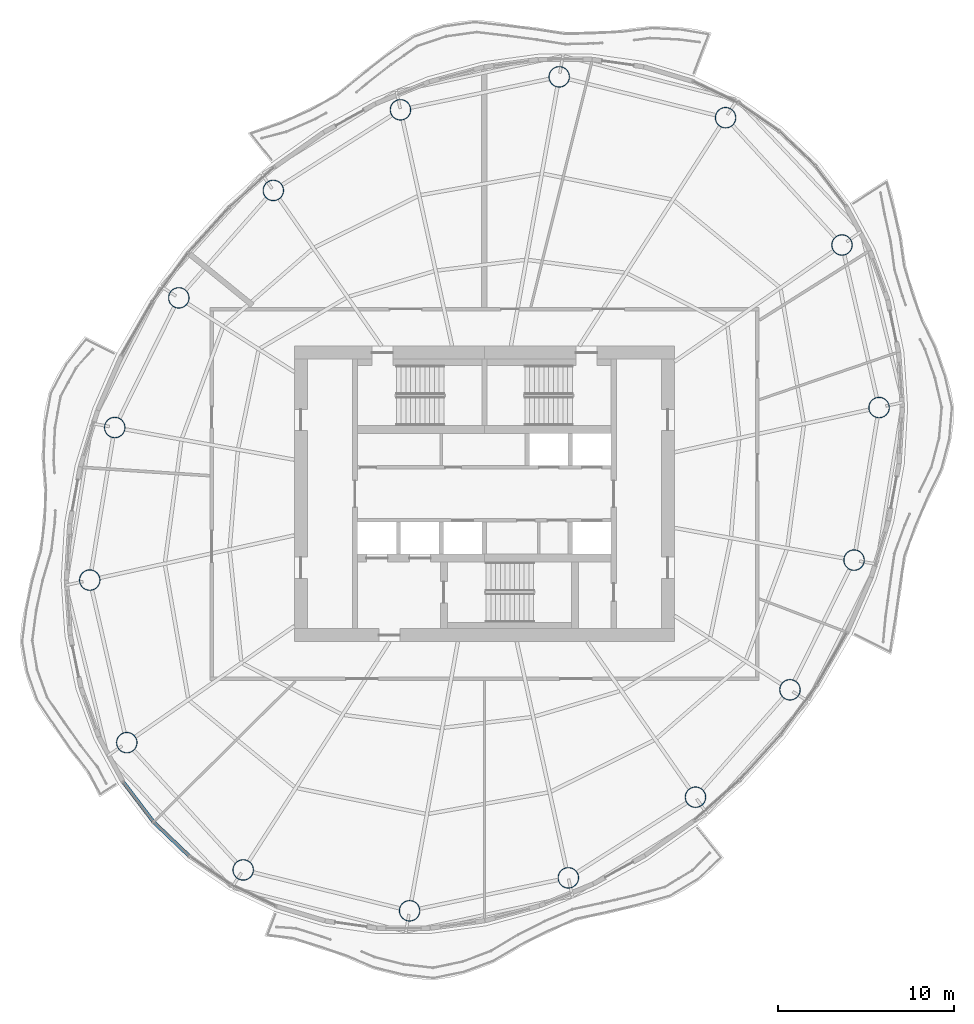
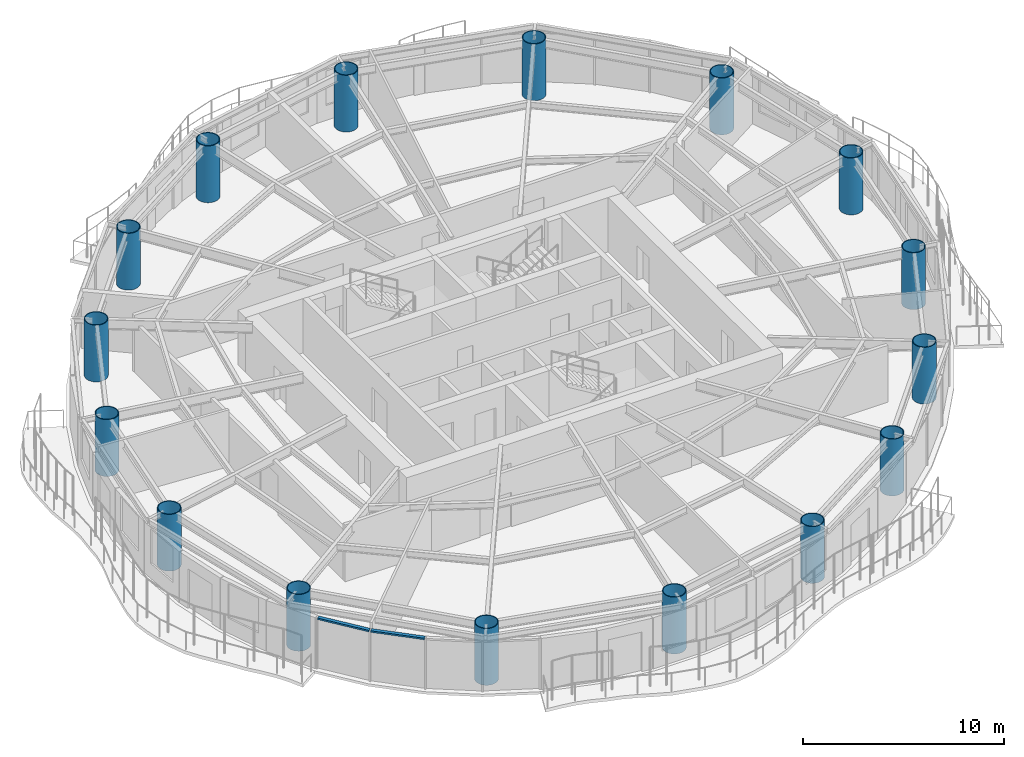
# One storey, part 1 of 14: 16 columns, 2 members, 2 elements without a shape of their own.
"""IFC4 building model written with IfcOpenShell, lengths in metres."""

from ifc_helpers import new_model, si_unit, direction, frame, origin, origin_2d, place, context, subcontext, project, spatial, rectangle, hollow_circle, extrude, material, material_profile, profile_set, type_object, element, aggregate, save


model = new_model("IFC4")

# Units and contexts
model_context = context("Model", 3, precision=1e-05, world=origin(), true_north=direction((0.0, 1.0)))
body_context = subcontext(model_context, "Body", "Model", "MODEL_VIEW")
ifc_project = project(units=[si_unit("LENGTHUNIT", "METRE"), si_unit("AREAUNIT", "SQUARE_METRE"), si_unit("VOLUMEUNIT", "CUBIC_METRE"), si_unit("PLANEANGLEUNIT", "RADIAN"), si_unit("MASSUNIT", "GRAM", prefix="KILO")], contexts=[model_context])

# Site, building, storey
site_placement = place(None, origin())
site = spatial("IfcSite", under=ifc_project, at=site_placement, CompositionType="ELEMENT")
building_placement = place(site_placement, origin())
building = spatial("IfcBuilding", under=site, at=building_placement, Name="Vermilion Reach Broadcast Tower", CompositionType="ELEMENT")
storey_placement = place(building_placement, frame((0.0, 0.0, 235.300048828125)))
storey = spatial("IfcBuildingStorey", under=building, at=storey_placement, Name="L58", CompositionType="ELEMENT", Elevation=235.300048828125)

# Columns
ifc_material_1 = material(Name="Concrete C60 infill in steel S460NL tube", Category="concrete")
ifc_material_profile_1 = material_profile(ifc_material_1, hollow_circle(Radius=0.60009765625, WallThickness=0.044921875, at=origin_2d()), Name="Concrete C60 infill in steel S460NL tube CFT 1200x45")
ifc_profile_set_1 = profile_set([ifc_material_profile_1], Name="Concrete C60 infill in steel S460NL tube")
column_type = type_object("IfcColumnType", Name="MC4 CFT 1200x45", PredefinedType="COLUMN", material=ifc_profile_set_1)
for number, where, z_axis, x_axis, name in (
    (1, (7.70361328125, 21.3701171875, 0.0), (0.0, 0.0, 1.0), (1.0, 0.0, 0.0), "Mega-column MC4-01"),
    (2, (-1.75, 23.691162109375, 0.0), (0.0, 0.0, 1.0), (1.0, 0.0, 0.0), "Mega-column MC4-02"),
    (3, (-10.769287109375, 21.818603515625, 0.0), (0.0, 0.0, 1.0), (1.0, 0.0, 0.0), "Mega-column MC4-03"),
    (4, (-17.993408203125, 17.23681640625, 0.0), (0.0, 0.0, 1.0), (1.0, 0.0, 0.0), "Mega-column MC4-04"),
    (5, (-23.36279296875, 11.134033203125, 0.0), (0.0, 0.0, 1.0), (1.0, 0.0, 0.0), "Mega-column MC4-05"),
    (6, (-27.002685546875, 3.767578125, 0.0), (0.0, 0.0, 1.0), (1.0, 0.0, 0.0), "Mega-column MC4-06"),
    (7, (-28.423828125, -4.9013671875, 0.0), (0.0, 0.0, 1.0), (1.0, 0.0, 0.0), "Mega-column MC4-07"),
    (8, (-26.318115234375, -14.13720703125, 0.0), (0.0, 0.0, 1.0), (1.0, 0.0, 0.0), "Mega-column MC4-08"),
    (9, (-19.70361328125, -21.3701171875, 0.0), (0.0, 0.0, 1.0), (1.0, 0.0, 0.0), "Mega-column MC4-09"),
    (10, (-10.25, -23.691162109375, 0.0), (0.0, 0.0, 1.0), (1.0, 0.0, 0.0), "Mega-column MC4-10"),
    (11, (-1.230712890625, -21.818603515625, 0.0), (0.0, 0.0, 1.0), (1.0, 0.0, 0.0), "Mega-column MC4-11"),
    (12, (5.993408203125, -17.23681640625, 0.0), (0.0, 0.0, 1.0), (1.0, 0.0, 0.0), "Mega-column MC4-12"),
    (13, (11.36279296875, -11.134033203125, 0.0), (0.0, 0.0, 1.0), (1.0, 0.0, 0.0), "Mega-column MC4-13"),
    (14, (15.002685546875, -3.767578125, 0.0), (0.0, 0.0, 1.0), (1.0, 0.0, 0.0), "Mega-column MC4-14"),
    (15, (16.423828125, 4.9013671875, 0.0), (0.0, 0.0, 1.0), (1.0, 0.0, 0.0), "Mega-column MC4-15"),
    (16, (14.318115234375, 14.13720703125, 0.0), (0.0, 0.0, 1.0), (1.0, 0.0, 0.0), "Mega-column MC4-16"),
):
    element("IfcColumn", number, at=place(storey_placement, frame(where, z_axis=z_axis, x_axis=x_axis)), inside=storey, type_object=column_type, Name=name, PredefinedType="COLUMN", context=body_context, shape_type="SweptSolid", body=[
        extrude(hollow_circle(Radius=0.60009765625, WallThickness=0.044921875, at=origin_2d()), origin(), (0.0, 0.0, 1.0), 3.449951171875),
    ])

# Curtain wall, member
ifc_material_2 = material(Name="Low-e laminated clear glass in aluminium frame", Category="aluminium")
curtain_wall_type = type_object("IfcCurtainWallType", Name="Slot curtain wall", PredefinedType="NOTDEFINED", material=ifc_material_2)
placement = place(storey_placement, origin())
curtain_wall_1 = element("IfcCurtainWall", 17, at=placement, inside=storey, type_object=curtain_wall_type, Name="Slot curtain wall L58 22", PredefinedType="NOTDEFINED")
ifc_material_3 = material(Name="Anodised aluminium", Category="aluminium")
ifc_material_profile_2 = material_profile(ifc_material_3, rectangle(XDim=0.199951171875, YDim=0.10009765625, at=origin_2d()), Name="Slot transom 200 x 100")
ifc_profile_set_2 = profile_set([ifc_material_profile_2], Name="Anodised aluminium")
member_type = type_object("IfcMemberType", Name="Slot transom 200 x 100", PredefinedType="USERDEFINED", material=ifc_profile_set_2)
member_1_placement = place(storey_placement, frame((-26.5048828125, -16.397216796875, 3.050048828125), z_axis=(0.605134521596, -0.796123238433, 0.0), x_axis=(0.796123238433, 0.605134521596, 0.0)))
member_1 = element("IfcMember", 18, at=member_1_placement, type_object=member_type, Name="Slot transom L58 22.1", ObjectType="TRANSOM", PredefinedType="USERDEFINED", context=body_context, shape_type="SweptSolid", body=[
    extrude(rectangle(XDim=0.199951171875, YDim=0.10009765625, at=origin_2d()), origin(), (0.0, 0.0, 1.0), 2.77783203125),
])
aggregate(curtain_wall_1, [member_1])

curtain_wall_2 = element("IfcCurtainWall", 19, at=placement, inside=storey, type_object=curtain_wall_type, Name="Slot curtain wall L58 23", PredefinedType="NOTDEFINED")
member_2_placement = place(storey_placement, frame((-24.77099609375, -18.668212890625, 3.050048828125), z_axis=(0.723061554651, -0.690783604456, 0.0), x_axis=(0.690783604456, 0.723061554651, 0.0)))
member_2 = element("IfcMember", 20, at=member_2_placement, type_object=member_type, Name="Slot transom L58 23.1", ObjectType="TRANSOM", PredefinedType="USERDEFINED", context=body_context, shape_type="SweptSolid", body=[
    extrude(rectangle(XDim=0.199951171875, YDim=0.10009765625, at=origin_2d()), origin(), (0.0, 0.0, 1.0), 2.753173828125),
])
aggregate(curtain_wall_2, [member_2])

save(model, "model.ifc")
